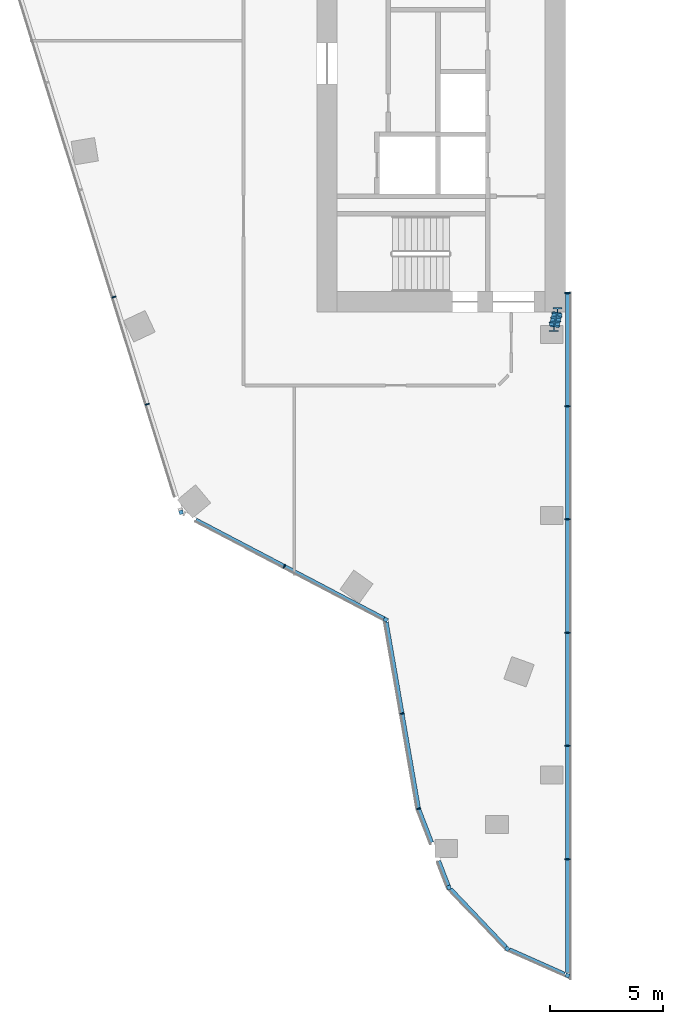
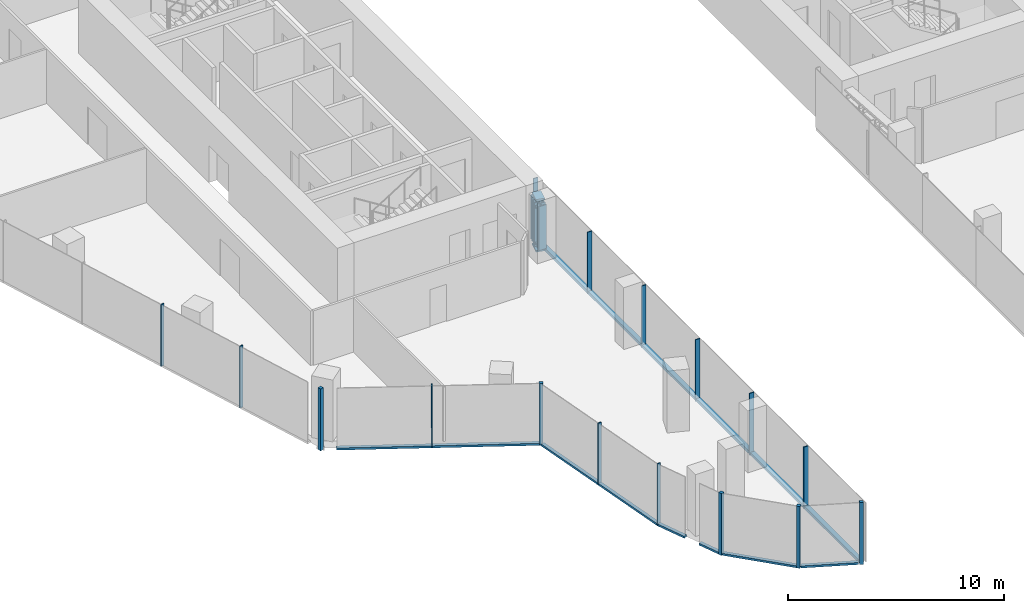
# One storey, part 2 of 23: 29 members, 7 elements without a shape of their own.
"""IFC4 building model written with IfcOpenShell, lengths in metres."""

from ifc_helpers import new_model, si_unit, direction, frame, origin, origin_2d, place, context, subcontext, project, spatial, rectangle, i_section, extrude, material, material_profile, profile_set, type_object, element, aggregate, save


model = new_model("IFC4")

# Units and contexts
model_context = context("Model", 3, precision=1e-05, world=origin(), true_north=direction((0.0, 1.0)))
body_context = subcontext(model_context, "Body", "Model", "MODEL_VIEW")
ifc_project = project(units=[si_unit("LENGTHUNIT", "METRE"), si_unit("AREAUNIT", "SQUARE_METRE"), si_unit("VOLUMEUNIT", "CUBIC_METRE"), si_unit("PLANEANGLEUNIT", "RADIAN"), si_unit("MASSUNIT", "GRAM", prefix="KILO")], contexts=[model_context])

# Site, building, storey
site_placement = place(None, origin())
site = spatial("IfcSite", under=ifc_project, at=site_placement, CompositionType="ELEMENT")
building_placement = place(site_placement, origin())
building = spatial("IfcBuilding", under=site, at=building_placement, Name="Orlundy Tower", CompositionType="ELEMENT")
storey_placement = place(building_placement, frame((0.0, 0.0, 257.0)))
storey = spatial("IfcBuildingStorey", under=building, at=storey_placement, Name="L68", CompositionType="ELEMENT", Elevation=257.0)

# Curtain wall, member
ifc_material_1 = material(Name="Aluminium bronze anodised", Category="aluminium")
curtain_wall_type = type_object("IfcCurtainWallType", Name="CW1 wall", PredefinedType="NOTDEFINED", material=ifc_material_1)
curtain_wall_1_placement = place(storey_placement, origin())
curtain_wall_1 = element("IfcCurtainWall", 1, at=curtain_wall_1_placement, inside=storey, type_object=curtain_wall_type, Name="CW1 run 00", PredefinedType="NOTDEFINED")
ifc_material_2 = material(Name="Aluminium bronze anodised", Category="aluminium")
ifc_material_profile_1 = material_profile(ifc_material_2, rectangle(XDim=0.179931640625, YDim=0.179931640625, at=origin_2d()), Name="CW1 corner post 180x180")
ifc_profile_set_1 = profile_set([ifc_material_profile_1], Name="Aluminium bronze anodised")
member_type_1 = type_object("IfcMemberType", Name="CW1 corner post 180x180", PredefinedType="MULLION", material=ifc_profile_set_1)
member_1_placement = place(storey_placement, frame((-15.9501953125, -25.612060546875, -0.39990234375), z_axis=(0.0, 0.0, 1.0), x_axis=(-0.464324546988, -0.885665125804, 0.0)))
member_1 = element("IfcMember", 2, at=member_1_placement, type_object=member_type_1, Name="CW1 mullion 1", PredefinedType="MULLION", context=body_context, shape_type="SweptSolid", body=[
    extrude(rectangle(XDim=0.179931640625, YDim=0.179931640625, at=origin_2d()), origin(), (0.0, 0.0, 1.0), 3.5),
])

curtain_wall_2_placement = place(storey_placement, origin())
curtain_wall_2 = element("IfcCurtainWall", 3, at=curtain_wall_2_placement, inside=storey, type_object=curtain_wall_type, Name="CW1 run 01", PredefinedType="NOTDEFINED")
member_2_placement = place(storey_placement, frame((-25.009765625, -20.8623046875, -0.39990234375), z_axis=(0.0, 0.0, 1.0), x_axis=(-0.954580158408, -0.297954226643, 0.0)))
member_2 = element("IfcMember", 4, at=member_2_placement, type_object=member_type_1, Name="CW1 mullion 3", PredefinedType="MULLION", context=body_context, shape_type="SweptSolid", body=[
    extrude(rectangle(XDim=0.179931640625, YDim=0.179931640625, at=origin_2d()), origin(), (0.0, 0.0, 1.0), 3.5),
])

curtain_wall_3_placement = place(storey_placement, origin())
curtain_wall_3 = element("IfcCurtainWall", 5, at=curtain_wall_3_placement, inside=storey, type_object=curtain_wall_type, Name="CW1 run 05", PredefinedType="NOTDEFINED")
member_3_placement = place(storey_placement, frame((-7.909912109375, -41.361328125, -0.39990234375), z_axis=(0.0, 0.0, 1.0), x_axis=(-0.405432387581, -0.914125034719, 0.0)))
member_3 = element("IfcMember", 6, at=member_3_placement, type_object=member_type_1, Name="CW1 mullion 30", PredefinedType="MULLION", context=body_context, shape_type="SweptSolid", body=[
    extrude(rectangle(XDim=0.179931640625, YDim=0.179931640625, at=origin_2d()), origin(), (0.0, 0.0, 1.0), 3.5),
])

curtain_wall_4_placement = place(storey_placement, origin())
curtain_wall_4 = element("IfcCurtainWall", 7, at=curtain_wall_4_placement, inside=storey, type_object=curtain_wall_type, Name="CW1 run 06", PredefinedType="NOTDEFINED")
member_4_placement = place(storey_placement, frame((-10.575927734375, -40.178955078125, -0.39990234375), z_axis=(0.0, 0.0, 1.0), x_axis=(-0.724291875351, -0.689493494749, 0.0)))
member_4 = element("IfcMember", 8, at=member_4_placement, type_object=member_type_1, Name="CW1 mullion 31", PredefinedType="MULLION", context=body_context, shape_type="SweptSolid", body=[
    extrude(rectangle(XDim=0.179931640625, YDim=0.179931640625, at=origin_2d()), origin(), (0.0, 0.0, 1.0), 3.5),
])

curtain_wall_5_placement = place(storey_placement, origin())
curtain_wall_5 = element("IfcCurtainWall", 9, at=curtain_wall_5_placement, inside=storey, type_object=curtain_wall_type, Name="CW1 run 07", PredefinedType="NOTDEFINED")
member_5_placement = place(storey_placement, frame((-13.156494140625, -37.468017578125, -0.39990234375), z_axis=(0.0, 0.0, 1.0), x_axis=(-0.933109013885, -0.359593615358, 0.0)))
member_5 = element("IfcMember", 10, at=member_5_placement, type_object=member_type_1, Name="CW1 mullion 32", PredefinedType="MULLION", context=body_context, shape_type="SweptSolid", body=[
    extrude(rectangle(XDim=0.179931640625, YDim=0.179931640625, at=origin_2d()), origin(), (0.0, 0.0, 1.0), 3.5),
])

# Member
ifc_material_3 = material(Name="Aluminium bronze anodised", Category="aluminium")
ifc_material_profile_2 = material_profile(ifc_material_3, rectangle(XDim=0.179931640625, YDim=0.050048828125, at=origin_2d()), Name="CW1 mullion 50x180")
ifc_profile_set_2 = profile_set([ifc_material_profile_2], Name="Aluminium bronze anodised")
member_type_2 = type_object("IfcMemberType", Name="CW1 mullion 50x180", PredefinedType="MULLION", material=ifc_profile_set_2)
member_6_placement = place(storey_placement, frame((-20.44384765625, -23.256103515625, -0.39990234375), z_axis=(0.0, 0.0, 1.0), x_axis=(-0.464324546988, -0.885665125804, 0.0)))
member_6 = element("IfcMember", 11, at=member_6_placement, type_object=member_type_2, Name="CW1 mullion 2", PredefinedType="MULLION", context=body_context, shape_type="SweptSolid", body=[
    extrude(rectangle(XDim=0.179931640625, YDim=0.050048828125, at=origin_2d()), origin(), (0.0, 0.0, 1.0), 3.5),
])

member_7_placement = place(storey_placement, frame((-26.501953125, -16.08203125, -0.39990234375), z_axis=(0.0, 0.0, 1.0), x_axis=(-0.954580158408, -0.297954226643, 0.0)))
member_7 = element("IfcMember", 12, at=member_7_placement, type_object=member_type_2, Name="CW1 mullion 4", PredefinedType="MULLION", context=body_context, shape_type="SweptSolid", body=[
    extrude(rectangle(XDim=0.179931640625, YDim=0.050048828125, at=origin_2d()), origin(), (0.0, 0.0, 1.0), 3.5),
])

member_8_placement = place(storey_placement, frame((-27.98291015625, -11.337158203125, -0.39990234375), z_axis=(0.0, 0.0, 1.0), x_axis=(-0.954580158408, -0.297954226643, 0.0)))
member_8 = element("IfcMember", 13, at=member_8_placement, type_object=member_type_2, Name="CW1 mullion 5", PredefinedType="MULLION", context=body_context, shape_type="SweptSolid", body=[
    extrude(rectangle(XDim=0.179931640625, YDim=0.050048828125, at=origin_2d()), origin(), (0.0, 0.0, 1.0), 3.5),
])

aggregate(curtain_wall_2, [member_2, member_7, member_8])

# Curtain wall, members
curtain_wall_6_placement = place(storey_placement, origin())
curtain_wall_6 = element("IfcCurtainWall", 14, at=curtain_wall_6_placement, inside=storey, type_object=curtain_wall_type, Name="CW1 run 08", PredefinedType="NOTDEFINED")
member_9_placement = place(storey_placement, frame((-14.499267578125, -33.984130859375, -0.39990234375), z_axis=(0.0, 0.0, 1.0), x_axis=(-0.963846106573, -0.266459533219, 0.0)))
member_9 = element("IfcMember", 15, at=member_9_placement, type_object=member_type_2, Name="CW1 mullion 33", PredefinedType="MULLION", context=body_context, shape_type="SweptSolid", body=[
    extrude(rectangle(XDim=0.179931640625, YDim=0.050048828125, at=origin_2d()), origin(), (0.0, 0.0, 1.0), 3.5),
])
member_10_placement = place(storey_placement, frame((-15.229248046875, -29.77197265625, -0.39990234375), z_axis=(0.0, 0.0, 1.0), x_axis=(-0.985312227538, -0.170762449807, 0.0)))
member_10 = element("IfcMember", 16, at=member_10_placement, type_object=member_type_2, Name="CW1 mullion 34", PredefinedType="MULLION", context=body_context, shape_type="SweptSolid", body=[
    extrude(rectangle(XDim=0.179931640625, YDim=0.050048828125, at=origin_2d()), origin(), (0.0, 0.0, 1.0), 3.5),
])

# Member
ifc_material_4 = material(Name="Aluminium bronze anodised", Category="aluminium")
ifc_material_profile_3 = material_profile(ifc_material_4, rectangle(XDim=0.179931640625, YDim=0.1201171875, at=origin_2d()), Name="CW1 transom 180x120")
ifc_profile_set_3 = profile_set([ifc_material_profile_3], Name="Aluminium bronze anodised")
member_type_3 = type_object("IfcMemberType", Name="CW1 transom 180x120", PredefinedType="USERDEFINED", material=ifc_profile_set_3)
member_11_placement = place(storey_placement, frame((-16.02978515625, -25.5703125, -0.340087890625), z_axis=(-0.885668458916, 0.464318189263, 0.0), x_axis=(-0.464318189263, -0.885668458916, 0.0)))
member_11 = element("IfcMember", 17, at=member_11_placement, type_object=member_type_3, Name="CW1 transom", ObjectType="TRANSOM", PredefinedType="USERDEFINED", context=body_context, shape_type="SweptSolid", body=[
    extrude(rectangle(XDim=0.179931640625, YDim=0.1201171875, at=origin_2d()), origin(), (0.0, 0.0, 1.0), 9.4091796875),
])

aggregate(curtain_wall_1, [member_1, member_6, member_11])

member_12_placement = place(storey_placement, frame((-8.036376953125, -41.30517578125, -0.340087890625), z_axis=(-0.914145503169, 0.405386234393, 0.0), x_axis=(-0.405386234393, -0.914145503169, 0.0)))
member_12 = element("IfcMember", 18, at=member_12_placement, type_object=member_type_3, Name="CW1 transom", ObjectType="TRANSOM", PredefinedType="USERDEFINED", context=body_context, shape_type="SweptSolid", body=[
    extrude(rectangle(XDim=0.179931640625, YDim=0.1201171875, at=origin_2d()), origin(), (0.0, 0.0, 1.0), 2.6806640625),
])

aggregate(curtain_wall_3, [member_3, member_12])

member_13_placement = place(storey_placement, frame((-10.637939453125, -40.11376953125, -0.340087890625), z_axis=(-0.689485404708, 0.724299576622, 0.0), x_axis=(-0.724299576622, -0.689485404708, 0.0)))
member_13 = element("IfcMember", 19, at=member_13_placement, type_object=member_type_3, Name="CW1 transom", ObjectType="TRANSOM", PredefinedType="USERDEFINED", context=body_context, shape_type="SweptSolid", body=[
    extrude(rectangle(XDim=0.179931640625, YDim=0.1201171875, at=origin_2d()), origin(), (0.0, 0.0, 1.0), 3.555419921875),
])

aggregate(curtain_wall_4, [member_4, member_13])

member_14_placement = place(storey_placement, frame((-13.18896484375, -37.384033203125, -0.340087890625), z_axis=(-0.359552671878, 0.933124791303, 0.0), x_axis=(-0.933124791303, -0.359552671878, 0.0)))
member_14 = element("IfcMember", 20, at=member_14_placement, type_object=member_type_3, Name="CW1 transom", ObjectType="TRANSOM", PredefinedType="USERDEFINED", context=body_context, shape_type="SweptSolid", body=[
    extrude(rectangle(XDim=0.179931640625, YDim=0.1201171875, at=origin_2d()), origin(), (0.0, 0.0, 1.0), 1.169189453125),
])

member_15_placement = place(storey_placement, frame((-13.924072265625, -35.4765625, -0.340087890625), z_axis=(-0.359623282256, 0.933097580567, 0.0), x_axis=(-0.933097580567, -0.359623282256, 0.0)))
member_15 = element("IfcMember", 21, at=member_15_placement, type_object=member_type_3, Name="CW1 transom", ObjectType="TRANSOM", PredefinedType="USERDEFINED", context=body_context, shape_type="SweptSolid", body=[
    extrude(rectangle(XDim=0.179931640625, YDim=0.1201171875, at=origin_2d()), origin(), (0.0, 0.0, 1.0), 1.57421875),
])

aggregate(curtain_wall_5, [member_5, member_14, member_15])

member_16_placement = place(storey_placement, frame((-14.50341796875, -33.959228515625, -0.340087890625), z_axis=(-0.170761768426, 0.985312345627, 0.0), x_axis=(-0.985312345627, -0.170761768426, 0.0)))
member_16 = element("IfcMember", 22, at=member_16_placement, type_object=member_type_3, Name="CW1 transom", ObjectType="TRANSOM", PredefinedType="USERDEFINED", context=body_context, shape_type="SweptSolid", body=[
    extrude(rectangle(XDim=0.179931640625, YDim=0.1201171875, at=origin_2d()), origin(), (0.0, 0.0, 1.0), 8.358154296875),
])

aggregate(curtain_wall_6, [member_9, member_10, member_16])

# Curtain wall, members
curtain_wall_7_placement = place(storey_placement, origin())
curtain_wall_7 = element("IfcCurtainWall", 23, at=curtain_wall_7_placement, inside=storey, type_object=curtain_wall_type, Name="CW1 run 04", PredefinedType="NOTDEFINED")
ifc_material_5 = material(Name="Aluminium bronze anodised", Category="aluminium")
ifc_material_profile_4 = material_profile(ifc_material_5, rectangle(XDim=0.239990234375, YDim=0.050048828125, at=origin_2d()), Name="CW6 mullion 50x240")
ifc_profile_set_4 = profile_set([ifc_material_profile_4], Name="Aluminium bronze anodised")
member_type_4 = type_object("IfcMemberType", Name="CW6 mullion 50x240", PredefinedType="MULLION", material=ifc_profile_set_4)
member_17_placement = place(storey_placement, frame((-7.909912109375, -11.157470703125, -0.39990234375), z_axis=(0.0, 0.0, 1.0), x_axis=(1.0, 0.0, 0.0)))
member_17 = element("IfcMember", 24, at=member_17_placement, type_object=member_type_4, Name="CW6 mullion 24", PredefinedType="MULLION", context=body_context, shape_type="SweptSolid", body=[
    extrude(rectangle(XDim=0.239990234375, YDim=0.050048828125, at=origin_2d()), origin(), (0.0, 0.0, 1.0), 3.5),
])
member_18_placement = place(storey_placement, frame((-7.909912109375, -16.16845703125, -0.39990234375), z_axis=(0.0, 0.0, 1.0), x_axis=(1.0, 0.0, 0.0)))
member_18 = element("IfcMember", 25, at=member_18_placement, type_object=member_type_4, Name="CW6 mullion 25", PredefinedType="MULLION", context=body_context, shape_type="SweptSolid", body=[
    extrude(rectangle(XDim=0.239990234375, YDim=0.050048828125, at=origin_2d()), origin(), (0.0, 0.0, 1.0), 3.5),
])
member_19_placement = place(storey_placement, frame((-7.909912109375, -21.17919921875, -0.39990234375), z_axis=(0.0, 0.0, 1.0), x_axis=(1.0, 0.0, 0.0)))
member_19 = element("IfcMember", 26, at=member_19_placement, type_object=member_type_4, Name="CW6 mullion 26", PredefinedType="MULLION", context=body_context, shape_type="SweptSolid", body=[
    extrude(rectangle(XDim=0.239990234375, YDim=0.050048828125, at=origin_2d()), origin(), (0.0, 0.0, 1.0), 3.5),
])
member_20_placement = place(storey_placement, frame((-7.909912109375, -26.190185546875, -0.39990234375), z_axis=(0.0, 0.0, 1.0), x_axis=(1.0, 0.0, 0.0)))
member_20 = element("IfcMember", 27, at=member_20_placement, type_object=member_type_4, Name="CW6 mullion 27", PredefinedType="MULLION", context=body_context, shape_type="SweptSolid", body=[
    extrude(rectangle(XDim=0.239990234375, YDim=0.050048828125, at=origin_2d()), origin(), (0.0, 0.0, 1.0), 3.5),
])
member_21_placement = place(storey_placement, frame((-7.909912109375, -31.201171875, -0.39990234375), z_axis=(0.0, 0.0, 1.0), x_axis=(1.0, 0.0, 0.0)))
member_21 = element("IfcMember", 28, at=member_21_placement, type_object=member_type_4, Name="CW6 mullion 28", PredefinedType="MULLION", context=body_context, shape_type="SweptSolid", body=[
    extrude(rectangle(XDim=0.239990234375, YDim=0.050048828125, at=origin_2d()), origin(), (0.0, 0.0, 1.0), 3.5),
])
member_22_placement = place(storey_placement, frame((-7.909912109375, -36.212158203125, -0.39990234375), z_axis=(0.0, 0.0, 1.0), x_axis=(1.0, 0.0, 0.0)))
member_22 = element("IfcMember", 29, at=member_22_placement, type_object=member_type_4, Name="CW6 mullion 29", PredefinedType="MULLION", context=body_context, shape_type="SweptSolid", body=[
    extrude(rectangle(XDim=0.239990234375, YDim=0.050048828125, at=origin_2d()), origin(), (0.0, 0.0, 1.0), 3.5),
])
ifc_material_6 = material(Name="Aluminium bronze anodised", Category="aluminium")
ifc_material_profile_5 = material_profile(ifc_material_6, rectangle(XDim=0.239990234375, YDim=0.159912109375, at=origin_2d()), Name="CW6 transom 240x160")
ifc_profile_set_5 = profile_set([ifc_material_profile_5], Name="Aluminium bronze anodised")
member_type_5 = type_object("IfcMemberType", Name="CW6 transom 240x160", PredefinedType="USERDEFINED", material=ifc_profile_set_5)
member_23_placement = place(storey_placement, frame((-7.8798828125, -11.182373046875, -0.320068359375), z_axis=(0.0, -1.0, 0.0), x_axis=(1.0, 0.0, 0.0)))
member_23 = element("IfcMember", 30, at=member_23_placement, type_object=member_type_5, Name="CW6 transom", ObjectType="TRANSOM", PredefinedType="USERDEFINED", context=body_context, shape_type="SweptSolid", body=[
    extrude(rectangle(XDim=0.239990234375, YDim=0.159912109375, at=origin_2d()), origin(), (0.0, 0.0, 1.0), 30.04052734375),
])
aggregate(curtain_wall_7, [member_17, member_18, member_19, member_20, member_21, member_22, member_23])

# Members
ifc_material_7 = material(Name="Steel ASTM A992 Gr 50", Category="steel")
ifc_material_profile_6 = material_profile(ifc_material_7, i_section(OverallWidth=0.43212890625, OverallDepth=0.497802734375, WebThickness=0.0556640625, FlangeThickness=0.0888671875, at=origin_2d()), Name="W14X500")
ifc_profile_set_6 = profile_set([ifc_material_profile_6], Name="Steel ASTM A992 Gr 50")
member_type_6 = type_object("IfcMemberType", Name="PORTAL EDGE TRUSS chord W14X500", PredefinedType="CHORD", material=ifc_profile_set_6)
for number, where, z_axis, x_axis, name in (
    (31, (-8.35009765625, -12.02001953125, 0.28466796875), (-0.247031311842, -0.969007497891, 0.0), (0.969007497891, -0.247031311842, 0.0), "Portal edge truss bottom chord PE-WS"),
    (32, (-8.35009765625, -12.02001953125, 2.765380859375), (-0.247031311842, -0.969007497891, 0.0), (0.969007497891, -0.247031311842, 0.0), "Portal edge truss top chord PE-WS"),
):
    element("IfcMember", number, at=place(storey_placement, frame(where, z_axis=z_axis, x_axis=x_axis)), inside=storey, type_object=member_type_6, Name=name, PredefinedType="CHORD", context=body_context, shape_type="SweptSolid", body=[
        extrude(i_section(OverallWidth=0.43212890625, OverallDepth=0.497802734375, WebThickness=0.0556640625, FlangeThickness=0.0888671875, at=origin_2d()), origin(), (0.0, 0.0, 1.0), 0.6513671875),
    ])
ifc_material_8 = material(Name="Steel ASTM A992 Gr 50", Category="steel")
ifc_material_profile_7 = material_profile(ifc_material_8, i_section(OverallWidth=0.412109375, OverallDepth=0.434814453125, WebThickness=0.035888671875, FlangeThickness=0.057373046875, at=origin_2d()), Name="W14X311")
ifc_profile_set_7 = profile_set([ifc_material_profile_7], Name="Steel ASTM A992 Gr 50")
member_type_7 = type_object("IfcMemberType", Name="PORTAL EDGE TRUSS post W14X311", PredefinedType="POST", material=ifc_profile_set_7)
for number, where, z_axis, x_axis, name in (
    (33, (-8.35009765625, -12.02001953125, 0.28466796875), (0.0, 0.0, 1.0), (1.0, 0.0, 0.0), "Portal edge truss post PE-WS-0"),
    (34, (-8.40380859375, -12.23046875, 0.28466796875), (0.0, 0.0, 1.0), (1.0, 0.0, 0.0), "Portal edge truss post PE-WS-1"),
    (35, (-8.457275390625, -12.44091796875, 0.28466796875), (0.0, 0.0, 1.0), (1.0, 0.0, 0.0), "Portal edge truss post PE-WS-2"),
    (36, (-8.510986328125, -12.651123046875, 0.28466796875), (0.0, 0.0, 1.0), (1.0, 0.0, 0.0), "Portal edge truss post PE-WS-3"),
):
    element("IfcMember", number, at=place(storey_placement, frame(where, z_axis=z_axis, x_axis=x_axis)), inside=storey, type_object=member_type_7, Name=name, PredefinedType="POST", context=body_context, shape_type="SweptSolid", body=[
        extrude(i_section(OverallWidth=0.412109375, OverallDepth=0.434814453125, WebThickness=0.035888671875, FlangeThickness=0.057373046875, at=origin_2d()), origin(), (0.0, 0.0, 1.0), 2.480712890625),
    ])

save(model, "model.ifc")
